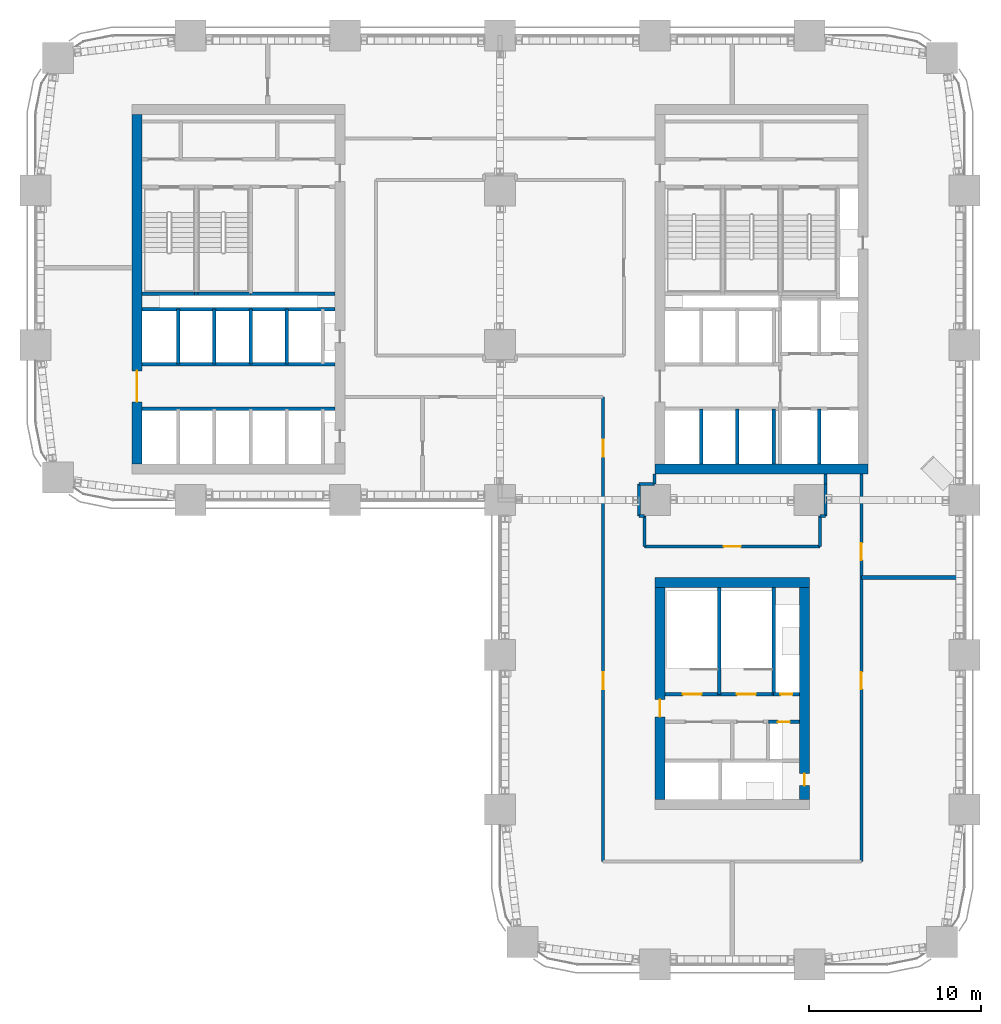
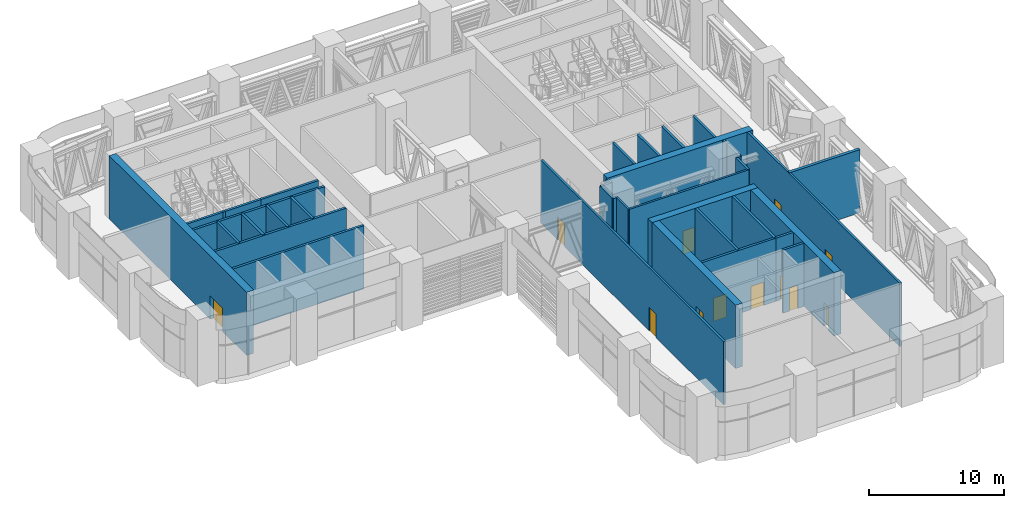
# One storey, part 16 of 24: 38 walls, 12 doors, 12 openings.
"""IFC4 building model written with IfcOpenShell, lengths in metres."""

from ifc_helpers import new_model, si_unit, direction, frame, frame_2d, origin, place, context, subcontext, project, spatial, rectangle, extrude, material, layer, layer_set, type_object, element, fill, save


model = new_model("IFC4")

# Units and contexts
model_context = context("Model", 3, precision=1e-05, world=origin(), true_north=direction((0.0, 1.0)))
body_context = subcontext(model_context, "Body", "Model", "MODEL_VIEW")
ifc_project = project(units=[si_unit("LENGTHUNIT", "METRE"), si_unit("AREAUNIT", "SQUARE_METRE"), si_unit("VOLUMEUNIT", "CUBIC_METRE"), si_unit("PLANEANGLEUNIT", "RADIAN"), si_unit("MASSUNIT", "GRAM", prefix="KILO")], contexts=[model_context])

# Site, building, storey
site_placement = place(None, origin())
site = spatial("IfcSite", under=ifc_project, at=site_placement, CompositionType="ELEMENT")
building_placement = place(site_placement, origin())
building = spatial("IfcBuilding", under=site, at=building_placement, Name="Tessera Arch", CompositionType="ELEMENT")
storey_placement = place(building_placement, frame((0.0, 0.0, 123.39990234375)))
storey = spatial("IfcBuildingStorey", under=building, at=storey_placement, Name="L29", CompositionType="ELEMENT", Elevation=123.39990234375)

# Wall
ifc_material_1 = material(Name="Concrete C70/85", Category="concrete")
ifc_layer_1 = layer(ifc_material_1, 0.60009765625)
ifc_layer_set_1 = layer_set([ifc_layer_1], Name="Core shell wall 600 C70-85")
wall_type_1 = type_object("IfcWallType", Name="Core shell wall 600 C70-85", PredefinedType="SHEAR", material=ifc_layer_set_1)
wall_1_placement = place(storey_placement, frame((36.0, 28.800048828125, 0.0), z_axis=(0.0, 0.0, 1.0), x_axis=(1.0, 0.0, 0.0)))
element("IfcWall", 1, at=wall_1_placement, inside=storey, type_object=wall_type_1, Name="L29 C1 core wall S", PredefinedType="SHEAR", context=body_context, shape_type="SweptSolid", body=[
    extrude(rectangle(XDim=12.39990234375, YDim=0.60009765625, at=frame_2d((6.199951171875, 0.0))), origin(), (0.0, 0.0, 1.0), 5.7001953125),
])

# Wall, opening, door
wall_2_placement = place(storey_placement, frame((5.89990234375, 29.10009765625, 0.0), z_axis=(0.0, 0.0, 1.0), x_axis=(0.0, 1.0, 0.0)))
wall_2 = element("IfcWall", 2, at=wall_2_placement, inside=storey, type_object=wall_type_1, Name="L29 C2 core wall W", PredefinedType="SHEAR", context=body_context, shape_type="SweptSolid", body=[
    extrude(rectangle(XDim=20.2998046875, YDim=0.60009765625, at=frame_2d((10.14990234375, 0.0))), origin(), (0.0, 0.0, 1.0), 5.7001953125),
])
opening_1_placement = place(wall_2_placement, frame((3.60009765625, 0.0, 0.0)))
opening_1 = element("IfcOpeningElement", 3, at=opening_1_placement, cuts=wall_2, Name="Opening L29-C16", PredefinedType="OPENING", context=body_context, shape_type="SweptSolid", body=[
    extrude(rectangle(XDim=1.800048828125, YDim=2.10009765625, at=frame_2d((0.89990234375, 1.050048828125))), frame((0.0, 0.31005859375, 0.0), z_axis=(0.0, -1.0, 0.0), x_axis=(1.0, 0.0, 0.0)), (0.0, 0.0, 1.0), 0.6201171875),
])
ifc_material_2 = material(Name="Glazed steel door leaf", Category="steel")
door_type_1 = type_object("IfcDoorType", Name="Lobby double door FD60 1800 x 2100", OperationType="DOUBLE_DOOR_SINGLE_SWING", PredefinedType="DOOR", material=ifc_material_2)
door_1_placement = place(opening_1_placement, origin())
door_1 = element("IfcDoor", 4, at=door_1_placement, inside=storey, type_object=door_type_1, Name="L29 C2 door 3 C16 type D19", OperationType="DOUBLE_DOOR_SINGLE_SWING", OverallHeight=2.10009765625, OverallWidth=1.800048828125, PredefinedType="DOOR", context=body_context, shape_type="SweptSolid", body=[
    extrude(rectangle(XDim=1.800048828125, YDim=2.10009765625, at=frame_2d((0.89990234375, 1.050048828125))), frame((0.0, 0.02490234375, 0.0), z_axis=(0.0, -1.0, 0.0), x_axis=(1.0, 0.0, 0.0)), (0.0, 0.0, 1.0), 0.050048828125),
])
fill(opening_1, door_1)

# Wall
wall_3_placement = place(storey_placement, frame((36.0, 22.199951171875, 0.0), z_axis=(0.0, 0.0, 1.0), x_axis=(1.0, 0.0, 0.0)))
element("IfcWall", 5, at=wall_3_placement, inside=storey, type_object=wall_type_1, Name="L29 C3 core wall N", PredefinedType="SHEAR", context=body_context, shape_type="SweptSolid", body=[
    extrude(rectangle(XDim=9.0, YDim=0.60009765625, at=frame_2d((4.5, 0.0))), origin(), (0.0, 0.0, 1.0), 5.7001953125),
])

# Wall, opening, door
wall_4_placement = place(storey_placement, frame((36.300048828125, 9.60009765625, 0.0), z_axis=(0.0, 0.0, 1.0), x_axis=(0.0, 1.0, 0.0)))
wall_4 = element("IfcWall", 6, at=wall_4_placement, inside=storey, type_object=wall_type_1, Name="L29 C3 core wall W", PredefinedType="SHEAR", context=body_context, shape_type="SweptSolid", body=[
    extrude(rectangle(XDim=12.2998046875, YDim=0.60009765625, at=frame_2d((6.14990234375, 0.0))), origin(), (0.0, 0.0, 1.0), 5.7001953125),
])
opening_2_placement = place(wall_4_placement, frame((4.800048828125, 0.0, 0.0)))
opening_2 = element("IfcOpeningElement", 7, at=opening_2_placement, cuts=wall_4, Name="Opening L29-C30", PredefinedType="OPENING", context=body_context, shape_type="SweptSolid", body=[
    extrude(rectangle(XDim=1.0, YDim=2.10009765625, at=frame_2d((0.5, 1.050048828125))), frame((0.0, 0.31005859375, 0.0), z_axis=(0.0, -1.0, 0.0), x_axis=(1.0, 0.0, 0.0)), (0.0, 0.0, 1.0), 0.6201171875),
])
ifc_material_3 = material(Name="Steel door leaf", Category="steel")
door_type_2 = type_object("IfcDoorType", Name="Corridor door FD60 1000 x 2100", OperationType="SINGLE_SWING_LEFT", PredefinedType="DOOR", material=ifc_material_3)
door_2_placement = place(opening_2_placement, origin())
door_2 = element("IfcDoor", 8, at=door_2_placement, inside=storey, type_object=door_type_2, Name="L29 C3 door 6 C30 type D12", OperationType="SINGLE_SWING_LEFT", OverallHeight=2.10009765625, OverallWidth=1.0, PredefinedType="DOOR", context=body_context, shape_type="SweptSolid", body=[
    extrude(rectangle(XDim=1.0, YDim=2.10009765625, at=frame_2d((0.5, 1.050048828125))), frame((0.0, 0.02490234375, 0.0), z_axis=(0.0, -1.0, 0.0), x_axis=(1.0, 0.0, 0.0)), (0.0, 0.0, 1.0), 0.050048828125),
])
fill(opening_2, door_2)

wall_5_placement = place(storey_placement, frame((44.699951171875, 9.60009765625, 0.0), z_axis=(0.0, 0.0, 1.0), x_axis=(0.0, 1.0, 0.0)))
wall_5 = element("IfcWall", 9, at=wall_5_placement, inside=storey, type_object=wall_type_1, Name="L29 C3 core wall E", PredefinedType="SHEAR", context=body_context, shape_type="SweptSolid", body=[
    extrude(rectangle(XDim=12.2998046875, YDim=0.60009765625, at=frame_2d((6.14990234375, 0.0))), origin(), (0.0, 0.0, 1.0), 5.7001953125),
])
opening_3_placement = place(wall_5_placement, frame((0.800048828125, 0.0, 0.0)))
opening_3 = element("IfcOpeningElement", 10, at=opening_3_placement, cuts=wall_5, Name="Opening L29-C29", PredefinedType="OPENING", context=body_context, shape_type="SweptSolid", body=[
    extrude(rectangle(XDim=0.699951171875, YDim=2.10009765625, at=frame_2d((0.35009765625, 1.050048828125))), frame((0.0, 0.31005859375, 0.0), z_axis=(0.0, -1.0, 0.0), x_axis=(1.0, 0.0, 0.0)), (0.0, 0.0, 1.0), 0.6201171875),
])
ifc_material_4 = material(Name="Steel door leaf", Category="steel")
door_type_3 = type_object("IfcDoorType", Name="Service shaft door FD60 700 x 2100", OperationType="SINGLE_SWING_LEFT", PredefinedType="DOOR", material=ifc_material_4)
door_3_placement = place(opening_3_placement, origin())
door_3 = element("IfcDoor", 11, at=door_3_placement, inside=storey, type_object=door_type_3, Name="L29 C3 door 5 C29 type D07", OperationType="SINGLE_SWING_LEFT", OverallHeight=2.10009765625, OverallWidth=0.699951171875, PredefinedType="DOOR", context=body_context, shape_type="SweptSolid", body=[
    extrude(rectangle(XDim=0.699951171875, YDim=2.10009765625, at=frame_2d((0.35009765625, 1.050048828125))), frame((0.0, 0.02490234375, 0.0), z_axis=(0.0, -1.0, 0.0), x_axis=(1.0, 0.0, 0.0)), (0.0, 0.0, 1.0), 0.050048828125),
])
fill(opening_3, door_3)

ifc_material_5 = material(Name="Gypsum board on deep steel stud with mineral wool", Category="steel")
ifc_layer_2 = layer(ifc_material_5, 0.175048828125)
ifc_layer_set_2 = layer_set([ifc_layer_2], Name="Corridor wall 175 EI 60")
wall_type_2 = type_object("IfcWallType", Name="Corridor wall 175 EI 60", PredefinedType="PARTITIONING", material=ifc_layer_set_2)
wall_6_placement = place(storey_placement, frame((35.39990234375, 24.300048828125, 0.0), z_axis=(0.0, 0.0, 1.0), x_axis=(1.0, 0.0, 0.0)))
wall_6 = element("IfcWall", 12, at=wall_6_placement, inside=storey, type_object=wall_type_2, Name="L29 partition 2", PredefinedType="PARTITIONING", context=body_context, shape_type="SweptSolid", body=[
    extrude(rectangle(XDim=10.2001953125, YDim=0.175048828125, at=frame_2d((5.10009765625, 0.0))), origin(), (0.0, 0.0, 1.0), 5.7001953125),
])
opening_4_placement = place(wall_6_placement, frame((4.60009765625, 0.0, 0.0)))
opening_4 = element("IfcOpeningElement", 13, at=opening_4_placement, cuts=wall_6, Name="Opening L29-D008", PredefinedType="OPENING", context=body_context, shape_type="SweptSolid", body=[
    extrude(rectangle(XDim=1.0, YDim=2.10009765625, at=frame_2d((0.5, 1.050048828125))), frame((0.0, 0.097412109375, 0.0), z_axis=(0.0, -1.0, 0.0), x_axis=(1.0, 0.0, 0.0)), (0.0, 0.0, 1.0), 0.195068359375),
])
ifc_material_6 = material(Name="Fire-rated door leaf")
door_type_4 = type_object("IfcDoorType", Name="Entrance door FD60 1000 x 2100", OperationType="SINGLE_SWING_LEFT", PredefinedType="DOOR", material=ifc_material_6)
door_4_placement = place(opening_4_placement, origin())
door_4 = element("IfcDoor", 14, at=door_4_placement, inside=storey, type_object=door_type_4, Name="L29 door D008 type D16", OperationType="SINGLE_SWING_RIGHT", OverallHeight=2.10009765625, OverallWidth=1.0, PredefinedType="DOOR", context=body_context, shape_type="SweptSolid", body=[
    extrude(rectangle(XDim=1.0, YDim=2.10009765625, at=frame_2d((0.5, 1.050048828125))), frame((0.0, 0.02490234375, 0.0), z_axis=(0.0, -1.0, 0.0), x_axis=(1.0, 0.0, 0.0)), (0.0, 0.0, 1.0), 0.050048828125),
])
fill(opening_4, door_4)

# Walls
for number, where, z_axis, x_axis, name in (
    (15, (35.080078125, 26.080078125, 0.0), (0.0, 0.0, 1.0), (1.0, 0.0, 0.0), "L29 partition 3"),
    (16, (45.60009765625, 26.080078125, 0.0), (0.0, 0.0, 1.0), (1.0, 0.0, 0.0), "L29 partition 4"),
):
    element("IfcWall", number, at=place(storey_placement, frame(where, z_axis=z_axis, x_axis=x_axis)), inside=storey, type_object=wall_type_2, Name=name, PredefinedType="PARTITIONING", context=body_context, shape_type="SweptSolid", body=[
        extrude(rectangle(XDim=0.31982421875, YDim=0.175048828125, at=frame_2d((0.159912109375, 0.0))), origin(), (0.0, 0.0, 1.0), 5.7001953125),
    ])
wall_7_placement = place(storey_placement, frame((35.080078125, 27.919921875, 0.0), z_axis=(0.0, 0.0, 1.0), x_axis=(1.0, 0.0, 0.0)))
element("IfcWall", 17, at=wall_7_placement, inside=storey, type_object=wall_type_2, Name="L29 partition 5", PredefinedType="PARTITIONING", context=body_context, shape_type="SweptSolid", body=[
    extrude(rectangle(XDim=0.909912109375, YDim=0.175048828125, at=frame_2d((0.455078125, 0.0))), origin(), (0.0, 0.0, 1.0), 5.7001953125),
])

# Wall, openings, doors
wall_8_placement = place(storey_placement, frame((33.0, 6.0, 0.0), z_axis=(0.0, 0.0, 1.0), x_axis=(0.0, 1.0, 0.0)))
wall_8 = element("IfcWall", 18, at=wall_8_placement, inside=storey, type_object=wall_type_2, Name="L29 partition 19", PredefinedType="PARTITIONING", context=body_context, shape_type="SweptSolid", body=[
    extrude(rectangle(XDim=27.0, YDim=0.175048828125, at=frame_2d((13.5, 0.0))), origin(), (0.0, 0.0, 1.0), 5.7001953125),
])
opening_5_placement = place(wall_8_placement, frame((10.0, 0.0, 0.0)))
opening_5 = element("IfcOpeningElement", 19, at=opening_5_placement, cuts=wall_8, Name="Opening L29-D003", PredefinedType="OPENING", context=body_context, shape_type="SweptSolid", body=[
    extrude(rectangle(XDim=1.0, YDim=2.10009765625, at=frame_2d((0.5, 1.050048828125))), frame((0.0, 0.097412109375, 0.0), z_axis=(0.0, -1.0, 0.0), x_axis=(1.0, 0.0, 0.0)), (0.0, 0.0, 1.0), 0.195068359375),
])
opening_6_placement = place(wall_8_placement, frame((23.5, 0.0, 0.0)))
opening_6 = element("IfcOpeningElement", 20, at=opening_6_placement, cuts=wall_8, Name="Opening L29-D007", PredefinedType="OPENING", context=body_context, shape_type="SweptSolid", body=[
    extrude(rectangle(XDim=1.0, YDim=2.10009765625, at=frame_2d((0.5, 1.050048828125))), frame((0.0, 0.097412109375, 0.0), z_axis=(0.0, -1.0, 0.0), x_axis=(1.0, 0.0, 0.0)), (0.0, 0.0, 1.0), 0.195068359375),
])
door_5_placement = place(opening_5_placement, origin())
door_5 = element("IfcDoor", 21, at=door_5_placement, inside=storey, type_object=door_type_4, Name="L29 door D003 type D16", OperationType="SINGLE_SWING_RIGHT", OverallHeight=2.10009765625, OverallWidth=1.0, PredefinedType="DOOR", context=body_context, shape_type="SweptSolid", body=[
    extrude(rectangle(XDim=1.0, YDim=2.10009765625, at=frame_2d((0.5, 1.050048828125))), frame((0.0, 0.02490234375, 0.0), z_axis=(0.0, -1.0, 0.0), x_axis=(1.0, 0.0, 0.0)), (0.0, 0.0, 1.0), 0.050048828125),
])
fill(opening_5, door_5)
door_6_placement = place(opening_6_placement, origin())
door_6 = element("IfcDoor", 22, at=door_6_placement, inside=storey, type_object=door_type_4, Name="L29 door D007 type D16", OperationType="SINGLE_SWING_RIGHT", OverallHeight=2.10009765625, OverallWidth=1.0, PredefinedType="DOOR", context=body_context, shape_type="SweptSolid", body=[
    extrude(rectangle(XDim=1.0, YDim=2.10009765625, at=frame_2d((0.5, 1.050048828125))), frame((0.0, 0.02490234375, 0.0), z_axis=(0.0, -1.0, 0.0), x_axis=(1.0, 0.0, 0.0)), (0.0, 0.0, 1.0), 0.050048828125),
])
fill(opening_6, door_6)

# Walls
wall_9_placement = place(storey_placement, frame((35.080078125, 26.080078125, 0.0), z_axis=(0.0, 0.0, 1.0), x_axis=(0.0, 1.0, 0.0)))
element("IfcWall", 23, at=wall_9_placement, inside=storey, type_object=wall_type_2, Name="L29 partition 21", PredefinedType="PARTITIONING", context=body_context, shape_type="SweptSolid", body=[
    extrude(rectangle(XDim=1.83984375, YDim=0.175048828125, at=frame_2d((0.919921875, 0.0))), origin(), (0.0, 0.0, 1.0), 5.7001953125),
])
wall_10_placement = place(storey_placement, frame((35.39990234375, 24.300048828125, 0.0), z_axis=(0.0, 0.0, 1.0), x_axis=(0.0, 1.0, 0.0)))
element("IfcWall", 24, at=wall_10_placement, inside=storey, type_object=wall_type_2, Name="L29 partition 22", PredefinedType="PARTITIONING", context=body_context, shape_type="SweptSolid", body=[
    extrude(rectangle(XDim=1.780029296875, YDim=0.175048828125, at=frame_2d((0.89013671875, 0.0))), origin(), (0.0, 0.0, 1.0), 5.7001953125),
])
wall_11_placement = place(storey_placement, frame((35.989990234375, 27.919921875, 0.0), z_axis=(0.0, 0.0, 1.0), x_axis=(0.0, 1.0, 0.0)))
element("IfcWall", 25, at=wall_11_placement, inside=storey, type_object=wall_type_2, Name="L29 partition 23", PredefinedType="PARTITIONING", context=body_context, shape_type="SweptSolid", body=[
    extrude(rectangle(XDim=0.60009765625, YDim=0.175048828125, at=frame_2d((0.300048828125, 0.0))), origin(), (0.0, 0.0, 1.0), 5.7001953125),
])
wall_12_placement = place(storey_placement, frame((45.60009765625, 24.300048828125, 0.0), z_axis=(0.0, 0.0, 1.0), x_axis=(0.0, 1.0, 0.0)))
element("IfcWall", 26, at=wall_12_placement, inside=storey, type_object=wall_type_2, Name="L29 partition 24", PredefinedType="PARTITIONING", context=body_context, shape_type="SweptSolid", body=[
    extrude(rectangle(XDim=1.780029296875, YDim=0.175048828125, at=frame_2d((0.89013671875, 0.0))), origin(), (0.0, 0.0, 1.0), 5.7001953125),
])
wall_13_placement = place(storey_placement, frame((45.909912109375, 27.919921875, 0.0), z_axis=(0.0, 0.0, 1.0), x_axis=(0.0, 1.0, 0.0)))
element("IfcWall", 27, at=wall_13_placement, inside=storey, type_object=wall_type_2, Name="L29 partition 25", PredefinedType="PARTITIONING", context=body_context, shape_type="SweptSolid", body=[
    extrude(rectangle(XDim=0.580078125, YDim=0.175048828125, at=frame_2d((0.2900390625, 0.0))), origin(), (0.0, 0.0, 1.0), 5.7001953125),
])
wall_14_placement = place(storey_placement, frame((45.919921875, 26.080078125, 0.0), z_axis=(0.0, 0.0, 1.0), x_axis=(0.0, 1.0, 0.0)))
element("IfcWall", 28, at=wall_14_placement, inside=storey, type_object=wall_type_2, Name="L29 partition 26", PredefinedType="PARTITIONING", context=body_context, shape_type="SweptSolid", body=[
    extrude(rectangle(XDim=1.83984375, YDim=0.175048828125, at=frame_2d((0.919921875, 0.0))), origin(), (0.0, 0.0, 1.0), 5.7001953125),
])

# Wall, openings, doors
wall_15_placement = place(storey_placement, frame((48.0, 6.0, 0.0), z_axis=(0.0, 0.0, 1.0), x_axis=(0.0, 1.0, 0.0)))
wall_15 = element("IfcWall", 29, at=wall_15_placement, inside=storey, type_object=wall_type_2, Name="L29 partition 27", PredefinedType="PARTITIONING", context=body_context, shape_type="SweptSolid", body=[
    extrude(rectangle(XDim=22.5, YDim=0.175048828125, at=frame_2d((11.25, 0.0))), origin(), (0.0, 0.0, 1.0), 5.7001953125),
])
opening_7_placement = place(wall_15_placement, frame((10.0, 0.0, 0.0)))
opening_7 = element("IfcOpeningElement", 30, at=opening_7_placement, cuts=wall_15, Name="Opening L29-D004", PredefinedType="OPENING", context=body_context, shape_type="SweptSolid", body=[
    extrude(rectangle(XDim=1.0, YDim=2.10009765625, at=frame_2d((0.5, 1.050048828125))), frame((0.0, 0.097412109375, 0.0), z_axis=(0.0, -1.0, 0.0), x_axis=(1.0, 0.0, 0.0)), (0.0, 0.0, 1.0), 0.195068359375),
])
opening_8_placement = place(wall_15_placement, frame((17.5, 0.0, 0.0)))
opening_8 = element("IfcOpeningElement", 31, at=opening_8_placement, cuts=wall_15, Name="Opening L29-D006", PredefinedType="OPENING", context=body_context, shape_type="SweptSolid", body=[
    extrude(rectangle(XDim=1.0, YDim=2.10009765625, at=frame_2d((0.5, 1.050048828125))), frame((0.0, 0.097412109375, 0.0), z_axis=(0.0, -1.0, 0.0), x_axis=(1.0, 0.0, 0.0)), (0.0, 0.0, 1.0), 0.195068359375),
])
door_7_placement = place(opening_7_placement, origin())
door_7 = element("IfcDoor", 32, at=door_7_placement, inside=storey, type_object=door_type_4, Name="L29 door D004 type D16", OperationType="SINGLE_SWING_LEFT", OverallHeight=2.10009765625, OverallWidth=1.0, PredefinedType="DOOR", context=body_context, shape_type="SweptSolid", body=[
    extrude(rectangle(XDim=1.0, YDim=2.10009765625, at=frame_2d((0.5, 1.050048828125))), frame((0.0, 0.02490234375, 0.0), z_axis=(0.0, -1.0, 0.0), x_axis=(1.0, 0.0, 0.0)), (0.0, 0.0, 1.0), 0.050048828125),
])
fill(opening_7, door_7)
door_8_placement = place(opening_8_placement, origin())
door_8 = element("IfcDoor", 33, at=door_8_placement, inside=storey, type_object=door_type_4, Name="L29 door D006 type D16", OperationType="SINGLE_SWING_LEFT", OverallHeight=2.10009765625, OverallWidth=1.0, PredefinedType="DOOR", context=body_context, shape_type="SweptSolid", body=[
    extrude(rectangle(XDim=1.0, YDim=2.10009765625, at=frame_2d((0.5, 1.050048828125))), frame((0.0, 0.02490234375, 0.0), z_axis=(0.0, -1.0, 0.0), x_axis=(1.0, 0.0, 0.0)), (0.0, 0.0, 1.0), 0.050048828125),
])
fill(opening_8, door_8)

# Walls
ifc_material_7 = material(Name="Double gypsum board on twin steel stud with acoustic mineral wool", Category="steel")
ifc_layer_3 = layer(ifc_material_7, 0.25)
ifc_layer_set_3 = layer_set([ifc_layer_3], Name="Party wall 250 EI 60")
wall_type_3 = type_object("IfcWallType", Name="Party wall 250 EI 60", PredefinedType="PARTITIONING", material=ifc_layer_set_3)
wall_16_placement = place(storey_placement, frame((48.0, 22.5, 0.0), z_axis=(0.0, 0.0, 1.0), x_axis=(1.0, 0.0, 0.0)))
element("IfcWall", 34, at=wall_16_placement, inside=storey, type_object=wall_type_3, Name="L29 partition 28", PredefinedType="PARTITIONING", context=body_context, shape_type="SweptSolid", body=[
    extrude(rectangle(XDim=6.0, YDim=0.25, at=frame_2d((3.0, 0.0))), origin(), (0.0, 0.0, 1.0), 5.7001953125),
])
ifc_material_8 = material(Name="Concrete C40/50", Category="concrete")
ifc_layer_4 = layer(ifc_material_8, 0.199951171875)
ifc_layer_set_4 = layer_set([ifc_layer_4], Name="Shaft wall 200 EI 120")
wall_type_4 = type_object("IfcWallType", Name="Shaft wall 200 EI 120", PredefinedType="SOLIDWALL", material=ifc_layer_set_4)
for number, where, z_axis, x_axis, name in (
    (35, (38.699951171875, 29.10009765625, 0.0), (0.0, 0.0, 1.0), (0.0, 1.0, 0.0), "L29 C1 shaft wall 1"),
    (36, (40.800048828125, 29.10009765625, 0.0), (0.0, 0.0, 1.0), (0.0, 1.0, 0.0), "L29 C1 shaft wall 6"),
    (37, (42.89990234375, 29.10009765625, 0.0), (0.0, 0.0, 1.0), (0.0, 1.0, 0.0), "L29 C1 shaft wall 9"),
    (38, (45.550048828125, 29.10009765625, 0.0), (0.0, 0.0, 1.0), (0.0, 1.0, 0.0), "L29 C1 shaft wall 15"),
):
    element("IfcWall", number, at=place(storey_placement, frame(where, z_axis=z_axis, x_axis=x_axis)), inside=storey, type_object=wall_type_4, Name=name, PredefinedType="SOLIDWALL", context=body_context, shape_type="SweptSolid", body=[
        extrude(rectangle(XDim=3.199951171875, YDim=0.199951171875, at=frame_2d((1.60009765625, 0.0))), origin(), (0.0, 0.0, 1.0), 5.7001953125),
    ])
for number, where, z_axis, x_axis, name in (
    (39, (8.300048828125, 34.89990234375, 0.0), (0.0, 0.0, 1.0), (0.0, 1.0, 0.0), "L29 C2 shaft wall 2"),
    (40, (10.39990234375, 34.89990234375, 0.0), (0.0, 0.0, 1.0), (0.0, 1.0, 0.0), "L29 C2 shaft wall 8"),
    (41, (12.5, 34.89990234375, 0.0), (0.0, 0.0, 1.0), (0.0, 1.0, 0.0), "L29 C2 shaft wall 10"),
    (42, (14.60009765625, 34.89990234375, 0.0), (0.0, 0.0, 1.0), (0.0, 1.0, 0.0), "L29 C2 shaft wall 16"),
):
    element("IfcWall", number, at=place(storey_placement, frame(where, z_axis=z_axis, x_axis=x_axis)), inside=storey, type_object=wall_type_4, Name=name, PredefinedType="SOLIDWALL", context=body_context, shape_type="SweptSolid", body=[
        extrude(rectangle(XDim=3.2001953125, YDim=0.199951171875, at=frame_2d((1.60009765625, 0.0))), origin(), (0.0, 0.0, 1.0), 5.7001953125),
    ])
for number, where, z_axis, x_axis, name in (
    (43, (6.199951171875, 32.300048828125, 0.0), (0.0, 0.0, 1.0), (1.0, 0.0, 0.0), "L29 C2 shaft wall 20"),
    (44, (6.199951171875, 34.89990234375, 0.0), (0.0, 0.0, 1.0), (1.0, 0.0, 0.0), "L29 C2 shaft wall 21"),
    (45, (6.199951171875, 38.10009765625, 0.0), (0.0, 0.0, 1.0), (1.0, 0.0, 0.0), "L29 C2 shaft wall 22"),
):
    element("IfcWall", number, at=place(storey_placement, frame(where, z_axis=z_axis, x_axis=x_axis)), inside=storey, type_object=wall_type_4, Name=name, PredefinedType="SOLIDWALL", context=body_context, shape_type="SweptSolid", body=[
        extrude(rectangle(XDim=11.199951171875, YDim=0.199951171875, at=frame_2d((5.60009765625, 0.0))), origin(), (0.0, 0.0, 1.0), 5.7001953125),
    ])
wall_17_placement = place(storey_placement, frame((12.5, 39.0, 0.0), z_axis=(0.0, 0.0, 1.0), x_axis=(1.0, 0.0, 0.0)))
element("IfcWall", 46, at=wall_17_placement, inside=storey, type_object=wall_type_4, Name="L29 C2 shaft wall 23", PredefinedType="SOLIDWALL", context=body_context, shape_type="SweptSolid", body=[
    extrude(rectangle(XDim=4.89990234375, YDim=0.199951171875, at=frame_2d((2.449951171875, 0.0))), origin(), (0.0, 0.0, 1.0), 5.7001953125),
])

# Wall, opening, door
wall_18_placement = place(storey_placement, frame((42.60009765625, 14.10009765625, 0.0), z_axis=(0.0, 0.0, 1.0), x_axis=(1.0, 0.0, 0.0)))
wall_18 = element("IfcWall", 47, at=wall_18_placement, inside=storey, type_object=wall_type_4, Name="L29 C3 shaft wall 8", PredefinedType="SOLIDWALL", context=body_context, shape_type="SweptSolid", body=[
    extrude(rectangle(XDim=1.7998046875, YDim=0.199951171875, at=frame_2d((0.89990234375, 0.0))), origin(), (0.0, 0.0, 1.0), 5.7001953125),
])
opening_9_placement = place(wall_18_placement, frame((0.550048828125, 0.0, 0.0)))
opening_9 = element("IfcOpeningElement", 48, at=opening_9_placement, cuts=wall_18, Name="Opening L29-C28", PredefinedType="OPENING", context=body_context, shape_type="SweptSolid", body=[
    extrude(rectangle(XDim=0.699951171875, YDim=2.10009765625, at=frame_2d((0.35009765625, 1.050048828125))), frame((0.0, 0.10986328125, 0.0), z_axis=(0.0, -1.0, 0.0), x_axis=(1.0, 0.0, 0.0)), (0.0, 0.0, 1.0), 0.219970703125),
])
door_9_placement = place(opening_9_placement, origin())
door_9 = element("IfcDoor", 49, at=door_9_placement, inside=storey, type_object=door_type_3, Name="L29 C3 door 4 C28 type D07", OperationType="SINGLE_SWING_RIGHT", OverallHeight=2.10009765625, OverallWidth=0.699951171875, PredefinedType="DOOR", context=body_context, shape_type="SweptSolid", body=[
    extrude(rectangle(XDim=0.699951171875, YDim=2.10009765625, at=frame_2d((0.35009765625, 1.050048828125))), frame((0.0, 0.02490234375, 0.0), z_axis=(0.0, -1.0, 0.0), x_axis=(1.0, 0.0, 0.0)), (0.0, 0.0, 1.0), 0.050048828125),
])
fill(opening_9, door_9)

wall_19_placement = place(storey_placement, frame((42.89990234375, 15.699951171875, 0.0), z_axis=(0.0, 0.0, 1.0), x_axis=(1.0, 0.0, 0.0)))
wall_19 = element("IfcWall", 50, at=wall_19_placement, inside=storey, type_object=wall_type_4, Name="L29 C3 shaft wall 9", PredefinedType="SOLIDWALL", context=body_context, shape_type="SweptSolid", body=[
    extrude(rectangle(XDim=1.5, YDim=0.199951171875, at=frame_2d((0.75, 0.0))), origin(), (0.0, 0.0, 1.0), 5.7001953125),
])
opening_10_placement = place(wall_19_placement, frame((0.39990234375, 0.0, 0.0)))
opening_10 = element("IfcOpeningElement", 51, at=opening_10_placement, cuts=wall_19, Name="Opening L29-C27", PredefinedType="OPENING", context=body_context, shape_type="SweptSolid", body=[
    extrude(rectangle(XDim=0.699951171875, YDim=2.10009765625, at=frame_2d((0.35009765625, 1.050048828125))), frame((0.0, 0.10986328125, 0.0), z_axis=(0.0, -1.0, 0.0), x_axis=(1.0, 0.0, 0.0)), (0.0, 0.0, 1.0), 0.219970703125),
])
door_10_placement = place(opening_10_placement, origin())
door_10 = element("IfcDoor", 52, at=door_10_placement, inside=storey, type_object=door_type_3, Name="L29 C3 door 3 C27 type D07", OperationType="SINGLE_SWING_LEFT", OverallHeight=2.10009765625, OverallWidth=0.699951171875, PredefinedType="DOOR", context=body_context, shape_type="SweptSolid", body=[
    extrude(rectangle(XDim=0.699951171875, YDim=2.10009765625, at=frame_2d((0.35009765625, 1.050048828125))), frame((0.0, 0.02490234375, 0.0), z_axis=(0.0, -1.0, 0.0), x_axis=(1.0, 0.0, 0.0)), (0.0, 0.0, 1.0), 0.050048828125),
])
fill(opening_10, door_10)

# Walls
ifc_material_9 = material(Name="Concrete C40/50", Category="concrete")
ifc_layer_5 = layer(ifc_material_9, 0.199951171875)
ifc_layer_set_5 = layer_set([ifc_layer_5], Name="Stair well wall 200 REI 180")
wall_type_5 = type_object("IfcWallType", Name="Stair well wall 200 REI 180", PredefinedType="SOLIDWALL", material=ifc_layer_set_5)
wall_20_placement = place(storey_placement, frame((6.199951171875, 39.0, 0.0), z_axis=(0.0, 0.0, 1.0), x_axis=(1.0, 0.0, 0.0)))
element("IfcWall", 53, at=wall_20_placement, inside=storey, type_object=wall_type_5, Name="L29 C2 shaft wall 24", PredefinedType="SOLIDWALL", context=body_context, shape_type="SweptSolid", body=[
    extrude(rectangle(XDim=3.050048828125, YDim=0.199951171875, at=frame_2d((1.52490234375, 0.0))), origin(), (0.0, 0.0, 1.0), 5.7001953125),
])
wall_21_placement = place(storey_placement, frame((9.25, 39.0, 0.0), z_axis=(0.0, 0.0, 1.0), x_axis=(1.0, 0.0, 0.0)))
element("IfcWall", 54, at=wall_21_placement, inside=storey, type_object=wall_type_5, Name="L29 C2 shaft wall 25", PredefinedType="SOLIDWALL", context=body_context, shape_type="SweptSolid", body=[
    extrude(rectangle(XDim=0.199951171875, YDim=0.199951171875, at=frame_2d((0.10009765625, 0.0))), origin(), (0.0, 0.0, 1.0), 5.7001953125),
])
wall_22_placement = place(storey_placement, frame((9.449951171875, 39.0, 0.0), z_axis=(0.0, 0.0, 1.0), x_axis=(1.0, 0.0, 0.0)))
element("IfcWall", 55, at=wall_22_placement, inside=storey, type_object=wall_type_5, Name="L29 C2 shaft wall 26", PredefinedType="SOLIDWALL", context=body_context, shape_type="SweptSolid", body=[
    extrude(rectangle(XDim=3.050048828125, YDim=0.199951171875, at=frame_2d((1.52490234375, 0.0))), origin(), (0.0, 0.0, 1.0), 5.7001953125),
])
for number, where, z_axis, x_axis, name in (
    (56, (39.75, 15.699951171875, 0.0), (0.0, 0.0, 1.0), (0.0, 1.0, 0.0), "L29 C3 shaft wall 1"),
    (57, (42.89990234375, 15.699951171875, 0.0), (0.0, 0.0, 1.0), (0.0, 1.0, 0.0), "L29 C3 shaft wall 5"),
):
    element("IfcWall", number, at=place(storey_placement, frame(where, z_axis=z_axis, x_axis=x_axis)), inside=storey, type_object=wall_type_5, Name=name, PredefinedType="SOLIDWALL", context=body_context, shape_type="SweptSolid", body=[
        extrude(rectangle(XDim=6.199951171875, YDim=0.199951171875, at=frame_2d((3.10009765625, 0.0))), origin(), (0.0, 0.0, 1.0), 5.7001953125),
    ])

# Wall, openings, doors
wall_23_placement = place(storey_placement, frame((36.60009765625, 15.699951171875, 0.0), z_axis=(0.0, 0.0, 1.0), x_axis=(1.0, 0.0, 0.0)))
wall_23 = element("IfcWall", 58, at=wall_23_placement, inside=storey, type_object=wall_type_5, Name="L29 C3 shaft wall 10", PredefinedType="SOLIDWALL", context=body_context, shape_type="SweptSolid", body=[
    extrude(rectangle(XDim=6.2998046875, YDim=0.199951171875, at=frame_2d((3.14990234375, 0.0))), origin(), (0.0, 0.0, 1.0), 5.7001953125),
])
opening_11_placement = place(wall_23_placement, frame((1.02490234375, 0.0, 0.0)))
opening_11 = element("IfcOpeningElement", 59, at=opening_11_placement, cuts=wall_23, Name="Opening L29-C25", PredefinedType="OPENING", context=body_context, shape_type="SweptSolid", body=[
    extrude(rectangle(XDim=1.10009765625, YDim=2.10009765625, at=frame_2d((0.550048828125, 1.050048828125))), frame((0.0, 0.10986328125, 0.0), z_axis=(0.0, -1.0, 0.0), x_axis=(1.0, 0.0, 0.0)), (0.0, 0.0, 1.0), 0.219970703125),
])
opening_12_placement = place(wall_23_placement, frame((4.175048828125, 0.0, 0.0)))
opening_12 = element("IfcOpeningElement", 60, at=opening_12_placement, cuts=wall_23, Name="Opening L29-C26", PredefinedType="OPENING", context=body_context, shape_type="SweptSolid", body=[
    extrude(rectangle(XDim=1.10009765625, YDim=2.10009765625, at=frame_2d((0.550048828125, 1.050048828125))), frame((0.0, 0.10986328125, 0.0), z_axis=(0.0, -1.0, 0.0), x_axis=(1.0, 0.0, 0.0)), (0.0, 0.0, 1.0), 0.219970703125),
])
ifc_material_10 = material(Name="Steel door leaf", Category="steel")
door_type_5 = type_object("IfcDoorType", Name="Stair door FD60 1100 x 2100", OperationType="SINGLE_SWING_LEFT", PredefinedType="DOOR", material=ifc_material_10)
door_11_placement = place(opening_11_placement, origin())
door_11 = element("IfcDoor", 61, at=door_11_placement, inside=storey, type_object=door_type_5, Name="L29 C3 door 1 C25 type D05", OperationType="SINGLE_SWING_LEFT", OverallHeight=2.10009765625, OverallWidth=1.10009765625, PredefinedType="DOOR", context=body_context, shape_type="SweptSolid", body=[
    extrude(rectangle(XDim=1.10009765625, YDim=2.10009765625, at=frame_2d((0.550048828125, 1.050048828125))), frame((0.0, 0.02490234375, 0.0), z_axis=(0.0, -1.0, 0.0), x_axis=(1.0, 0.0, 0.0)), (0.0, 0.0, 1.0), 0.050048828125),
])
fill(opening_11, door_11)
door_12_placement = place(opening_12_placement, origin())
door_12 = element("IfcDoor", 62, at=door_12_placement, inside=storey, type_object=door_type_5, Name="L29 C3 door 2 C26 type D05", OperationType="SINGLE_SWING_RIGHT", OverallHeight=2.10009765625, OverallWidth=1.10009765625, PredefinedType="DOOR", context=body_context, shape_type="SweptSolid", body=[
    extrude(rectangle(XDim=1.10009765625, YDim=2.10009765625, at=frame_2d((0.550048828125, 1.050048828125))), frame((0.0, 0.02490234375, 0.0), z_axis=(0.0, -1.0, 0.0), x_axis=(1.0, 0.0, 0.0)), (0.0, 0.0, 1.0), 0.050048828125),
])
fill(opening_12, door_12)

save(model, "model.ifc")
